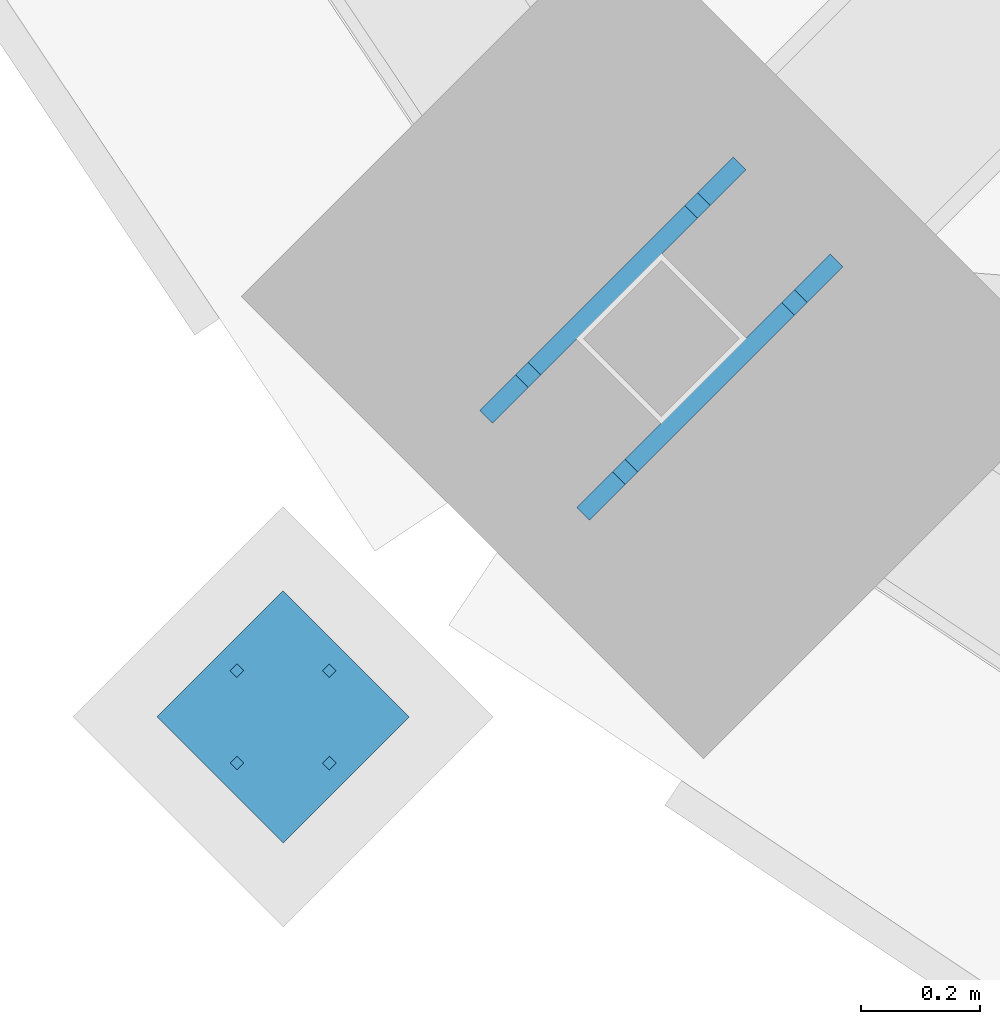
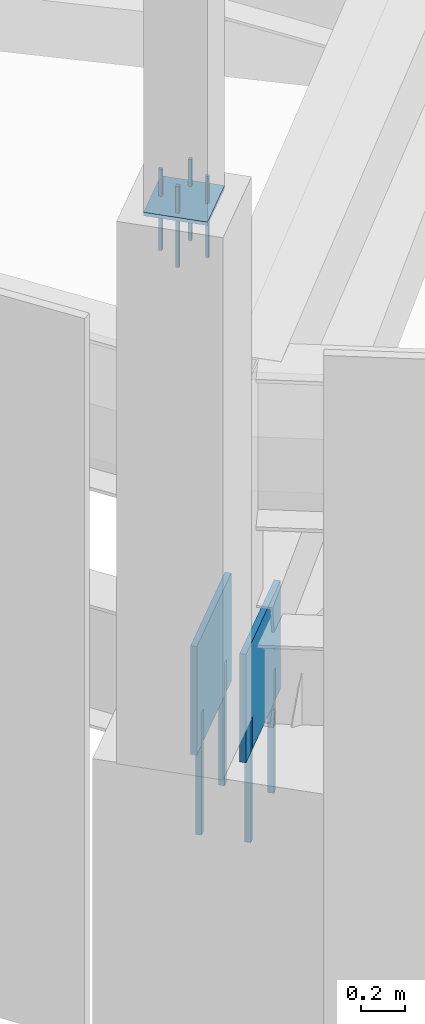
# One storey, part 108 of 278: 8 mechanical fasteners, 3 discrete accessories.
"""IFC4 building model written with IfcOpenShell, lengths in metres."""

from ifc_helpers import new_model, si_unit, direction, frame, origin, origin_2d, place, context, subcontext, project, spatial, rectangle, extrude, material, layer, layer_set, type_object, element, save


model = new_model("IFC4")

# Units and contexts
model_context = context("Model", 3, precision=1e-05, world=origin(), true_north=direction((0.0, 1.0)))
body_context = subcontext(model_context, "Body", "Model", "MODEL_VIEW")
ifc_project = project(units=[si_unit("LENGTHUNIT", "METRE"), si_unit("AREAUNIT", "SQUARE_METRE"), si_unit("VOLUMEUNIT", "CUBIC_METRE"), si_unit("PLANEANGLEUNIT", "RADIAN"), si_unit("MASSUNIT", "GRAM", prefix="KILO")], contexts=[model_context])

# Site, building, storey
site_placement = place(None, origin())
site = spatial("IfcSite", under=ifc_project, at=site_placement, CompositionType="ELEMENT")
building_placement = place(site_placement, origin())
building = spatial("IfcBuilding", under=site, at=building_placement, Name="Ogive Plaza Stadium", CompositionType="ELEMENT")
storey_placement = place(building_placement, frame((0.0, 0.0, 29.0)))
storey = spatial("IfcBuildingStorey", under=building, at=storey_placement, Name="Roof", CompositionType="ELEMENT", Elevation=29.0)

# Mechanical fasteners
ifc_material_1 = material(Name="Steel ASTM A992 Grade 50", Category="steel")
mechanical_fastener_type_1 = type_object("IfcMechanicalFastenerType", Name="Anchor bolt M30 x 600", PredefinedType="ANCHORBOLT", material=ifc_material_1)
for number, where, z_axis, x_axis, name in (
    (1, (-69.416259765625, -88.07958984375, 3.0), (0.0, 0.0, 1.0), (-0.707106781187, -0.707106781187, 0.0), "ANCHOR BOLT 19 BF 1.1"),
    (2, (-69.131103515625, -87.79443359375, 3.0), (0.0, 0.0, 1.0), (-0.707106781187, -0.707106781187, 0.0), "ANCHOR BOLT 19 BF 1.2"),
    (3, (-69.57958984375, -87.916259765625, 3.0), (0.0, 0.0, 1.0), (-0.707106781187, -0.707106781187, 0.0), "ANCHOR BOLT 19 BF 2.1"),
    (4, (-69.29443359375, -87.631103515625, 3.0), (0.0, 0.0, 1.0), (-0.707106781187, -0.707106781187, 0.0), "ANCHOR BOLT 19 BF 2.2"),
):
    element("IfcMechanicalFastener", number, at=place(storey_placement, frame(where, z_axis=z_axis, x_axis=x_axis)), inside=storey, type_object=mechanical_fastener_type_1, Name=name, PredefinedType="ANCHORBOLT", context=body_context, shape_type="SweptSolid", body=[
        extrude(rectangle(XDim=0.030029296875, YDim=0.030029296875, at=origin_2d()), origin(), (0.0, 0.0, 1.0), 0.679931640625),
    ])
ifc_material_2 = material(Name="Steel ASTM A992 Grade 50", Category="steel")
mechanical_fastener_type_2 = type_object("IfcMechanicalFastenerType", Name="Spire anchor bolt M16 x 450", PredefinedType="ANCHORBOLT", material=ifc_material_2)
for number, where, z_axis, x_axis, name in (
    (5, (-70.069580078125, -88.569580078125, 6.7001953125), (0.0, 0.0, 1.0), (-0.707106781187, -0.707106781187, 0.0), "SPIRE ANCHOR BOLT 19 1"),
    (6, (-69.9140625, -88.4140625, 6.7001953125), (0.0, 0.0, 1.0), (-0.707106781187, -0.707106781187, 0.0), "SPIRE ANCHOR BOLT 19 2"),
    (7, (-69.9140625, -88.569580078125, 6.7001953125), (0.0, 0.0, 1.0), (-0.707106781187, -0.707106781187, 0.0), "SPIRE ANCHOR BOLT 19 3"),
    (8, (-70.069580078125, -88.4140625, 6.7001953125), (0.0, 0.0, 1.0), (-0.707106781187, -0.707106781187, 0.0), "SPIRE ANCHOR BOLT 19 4"),
):
    element("IfcMechanicalFastener", number, at=place(storey_placement, frame(where, z_axis=z_axis, x_axis=x_axis)), inside=storey, type_object=mechanical_fastener_type_2, Name=name, PredefinedType="ANCHORBOLT", context=body_context, shape_type="SweptSolid", body=[
        extrude(rectangle(XDim=0.01611328125, YDim=0.01611328125, at=origin_2d()), origin(), (0.0, 0.0, 1.0), 0.449951171875),
    ])

# Discrete accessories
ifc_material_3 = material(Name="Steel ASTM A992 Grade 50", Category="steel")
ifc_layer_1 = layer(ifc_material_3, 0.02001953125)
ifc_layer_set_1 = layer_set([ifc_layer_1], Name="Steel ASTM A992 Grade 50")
discrete_accessory_type_1 = type_object("IfcDiscreteAccessoryType", Name="Spire seat plate 20", PredefinedType="ANCHORPLATE", material=ifc_layer_set_1)
discrete_accessory_placement = place(storey_placement, frame((-69.99169921875, -88.49169921875, 6.98095703125), z_axis=(0.0, 0.0, 1.0), x_axis=(-0.707106781187, -0.707106781187, 0.0)))
element("IfcDiscreteAccessory", 9, at=discrete_accessory_placement, inside=storey, type_object=discrete_accessory_type_1, Name="SPIRE SEAT PLATE 19", PredefinedType="ANCHORPLATE", context=body_context, shape_type="SweptSolid", body=[
    extrude(rectangle(XDim=0.300048828125, YDim=0.300048828125, at=origin_2d()), origin(), (0.0, 0.0, 1.0), 0.02001953125),
])
ifc_material_4 = material(Name="Steel ASTM A992 Grade 50", Category="steel")
ifc_layer_2 = layer(ifc_material_4, 0.030029296875)
ifc_layer_set_2 = layer_set([ifc_layer_2], Name="Steel ASTM A992 Grade 50")
discrete_accessory_type_2 = type_object("IfcDiscreteAccessoryType", Name="Truss back-stay foot cleat plate 30", PredefinedType="ANCHORPLATE", material=ifc_layer_set_2)
for number, where, z_axis, x_axis, name in (
    (10, (-69.273681640625, -87.93701171875, 3.5), (0.0, 0.0, 1.0), (-0.707106781187, -0.707106781187, 0.0), "TRUSS BACK-STAY FOOT CLEAT PLATE 19 1"),
    (11, (-69.43701171875, -87.773681640625, 3.5), (0.0, 0.0, 1.0), (-0.707106781187, -0.707106781187, 0.0), "TRUSS BACK-STAY FOOT CLEAT PLATE 19 2"),
):
    element("IfcDiscreteAccessory", number, at=place(storey_placement, frame(where, z_axis=z_axis, x_axis=x_axis)), inside=storey, type_object=discrete_accessory_type_2, Name=name, PredefinedType="ANCHORPLATE", context=body_context, shape_type="SweptSolid", body=[
        extrude(rectangle(XDim=0.603271484375, YDim=0.030029296875, at=origin_2d()), origin(), (0.0, 0.0, 1.0), 0.60009765625),
    ])

save(model, "model.ifc")
